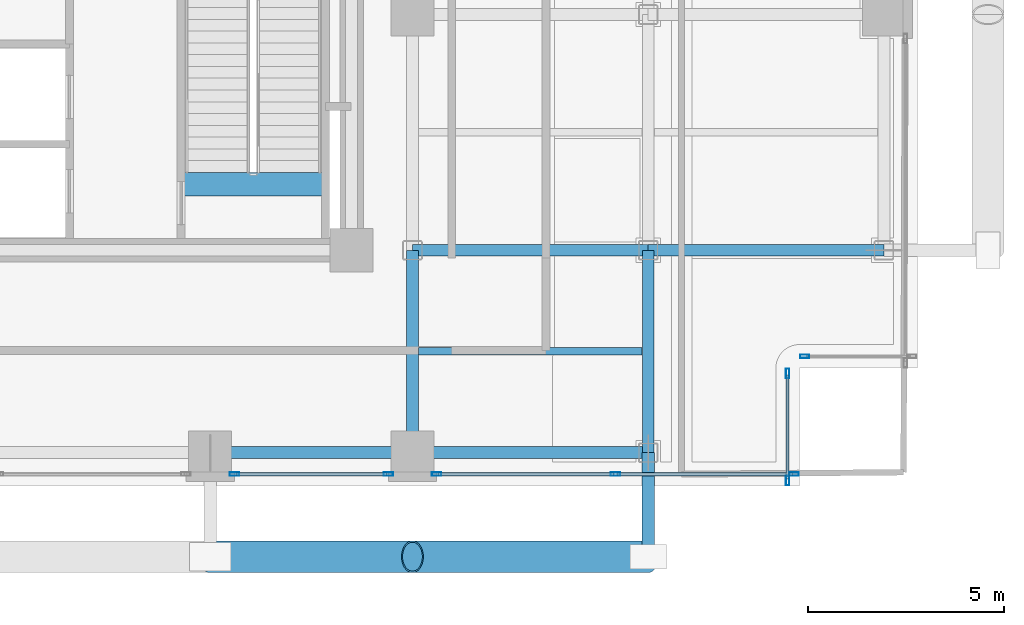
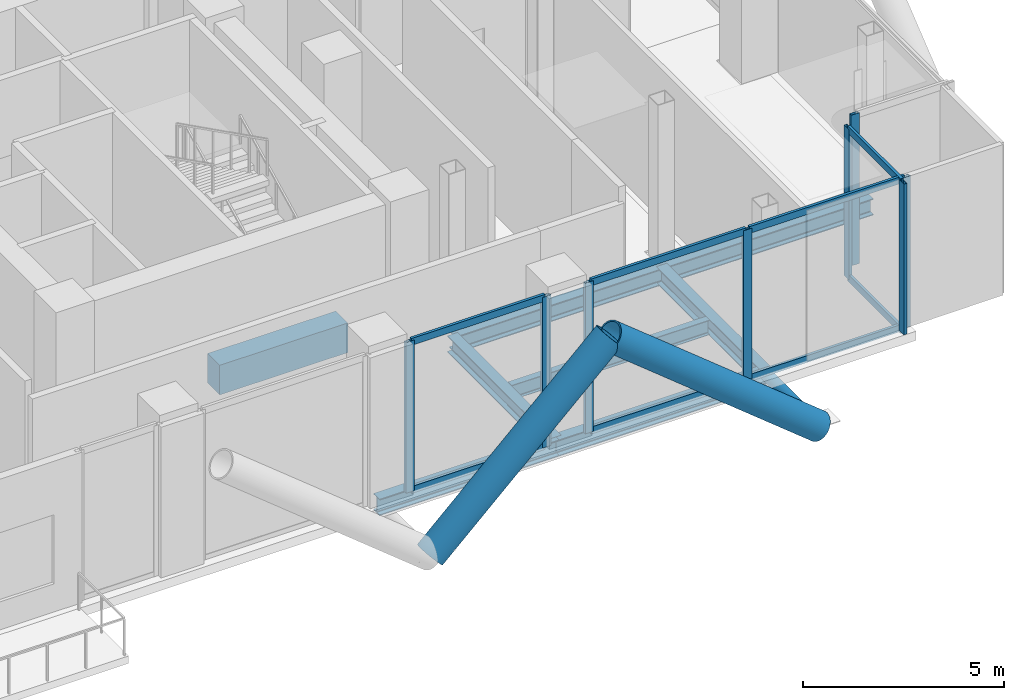
# One storey, part 8 of 25: 19 members, 8 beams, 4 elements without a shape of their own.
"""IFC4 building model written with IfcOpenShell, lengths in metres."""

from ifc_helpers import new_model, si_unit, direction, frame, origin, origin_2d, place, context, subcontext, project, spatial, rectangle, hollow_rectangle, hollow_circle, i_section, extrude, material, layer, layer_set, material_profile, profile_set, type_object, element, aggregate, save


model = new_model("IFC4")

# Units and contexts
model_context = context("Model", 3, precision=1e-05, world=origin(), true_north=direction((0.0, 1.0)))
body_context = subcontext(model_context, "Body", "Model", "MODEL_VIEW")
ifc_project = project(units=[si_unit("LENGTHUNIT", "METRE"), si_unit("AREAUNIT", "SQUARE_METRE"), si_unit("VOLUMEUNIT", "CUBIC_METRE"), si_unit("PLANEANGLEUNIT", "RADIAN"), si_unit("MASSUNIT", "GRAM", prefix="KILO"), si_unit("THERMODYNAMICTEMPERATUREUNIT", "KELVIN"), si_unit("POWERUNIT", "WATT")], contexts=[model_context])

# Site, building, storey
site_placement = place(None, origin())
site = spatial("IfcSite", under=ifc_project, at=site_placement, CompositionType="ELEMENT")
building_placement = place(site_placement, origin())
building = spatial("IfcBuilding", under=site, at=building_placement, Name="Svarakhadi Broadcast Tower", CompositionType="ELEMENT")
storey_placement = place(building_placement, frame((0.0, 0.0, 110.85009765625)))
storey = spatial("IfcBuildingStorey", under=building, at=storey_placement, Name="L26", CompositionType="ELEMENT", Elevation=110.85009765625)

# Beam
ifc_material_1 = material(Name="Steel S355J2 (IS 2062 E350C)", Category="steel")
ifc_material_profile_1 = material_profile(ifc_material_1, i_section(OverallWidth=0.18994140625, OverallDepth=0.449951171875, WebThickness=0.009521484375, FlangeThickness=0.0146484375, FilletRadius=0.02099609375, at=origin_2d()), Name="NPB 450x190x78")
ifc_profile_set_1 = profile_set([ifc_material_profile_1], Name="Steel S355J2 (IS 2062 E350C)")
beam_type_1 = type_object("IfcBeamType", Name="Beam_NPB450", PredefinedType="BEAM", material=ifc_profile_set_1)
beam_1_placement = place(storey_placement, frame((35.31005859375, 3.425048828125, -0.5), z_axis=(1.0, 0.0, 0.0), x_axis=(0.0, 1.0, 0.0)))
element("IfcBeam", 1, at=beam_1_placement, inside=storey, type_object=beam_type_1, Name="L26 Secondary Composite Beam SB019", PredefinedType="BEAM", context=body_context, shape_type="SweptSolid", body=[
    extrude(i_section(OverallWidth=0.18994140625, OverallDepth=0.449951171875, WebThickness=0.009521484375, FlangeThickness=0.0146484375, FilletRadius=0.02099609375, at=origin_2d()), origin(), (0.0, 0.0, 1.0), 5.679931640625),
])

# Curtain wall, member
ifc_material_2 = material(Name="Anodised Bronze Aluminium AA 6063-T6", Category="aluminium")
ifc_layer = layer(ifc_material_2, 0.239990234375)
ifc_layer_set = layer_set([ifc_layer], Name="Anodised Bronze Aluminium AA 6063-T6")
curtain_wall_type = type_object("IfcCurtainWallType", Name="CW_Sys_06", PredefinedType="NOTDEFINED", material=ifc_layer_set)
curtain_wall_1_placement = place(storey_placement, origin())
curtain_wall_1 = element("IfcCurtainWall", 2, at=curtain_wall_1_placement, inside=storey, type_object=curtain_wall_type, Name="L26 Unitised Facade Curtain Wall 14", PredefinedType="NOTDEFINED")
ifc_material_profile_2 = material_profile(ifc_material_2, hollow_rectangle(XDim=0.090087890625, YDim=0.239990234375, WallThickness=0.006103515625, at=origin_2d()), Name="ALU MULLION 240x90x6")
ifc_profile_set_2 = profile_set([ifc_material_profile_2], Name="Anodised Bronze Aluminium AA 6063-T6")
member_type_1 = type_object("IfcMemberType", Name="CW_Sys_06_Mul", PredefinedType="MULLION", material=ifc_profile_set_2)
member_1_placement = place(storey_placement, frame((45.135009765625, 3.300048828125, 0.0), z_axis=(0.0, 0.0, 1.0), x_axis=(0.0, -1.0, 0.0)))
member_1 = element("IfcMember", 3, at=member_1_placement, type_object=member_type_1, Name="CW-06 mullion 2", PredefinedType="MULLION", context=body_context, shape_type="SweptSolid", body=[
    extrude(hollow_rectangle(XDim=0.090087890625, YDim=0.239990234375, WallThickness=0.006103515625, at=origin_2d()), origin(), (0.0, 0.0, 1.0), 4.574951171875),
])
aggregate(curtain_wall_1, [member_1])

# Curtain wall, members
curtain_wall_2_placement = place(storey_placement, origin())
curtain_wall_2 = element("IfcCurtainWall", 4, at=curtain_wall_2_placement, inside=storey, type_object=curtain_wall_type, Name="L26 Unitised Facade Curtain Wall 15", PredefinedType="NOTDEFINED")
member_2_placement = place(storey_placement, frame((44.699951171875, 2.864990234375, 0.0), z_axis=(0.0, 0.0, 1.0), x_axis=(1.0, 0.0, 0.0)))
member_2 = element("IfcMember", 5, at=member_2_placement, type_object=member_type_1, Name="CW-06 mullion 1", PredefinedType="MULLION", context=body_context, shape_type="SweptSolid", body=[
    extrude(hollow_rectangle(XDim=0.090087890625, YDim=0.239990234375, WallThickness=0.006103515625, at=origin_2d()), origin(), (0.0, 0.0, 1.0), 4.574951171875),
])
member_3_placement = place(storey_placement, frame((44.699951171875, 0.135009765625, 0.0), z_axis=(0.0, 0.0, 1.0), x_axis=(1.0, 0.0, 0.0)))
member_3 = element("IfcMember", 6, at=member_3_placement, type_object=member_type_1, Name="CW-06 mullion 2", PredefinedType="MULLION", context=body_context, shape_type="SweptSolid", body=[
    extrude(hollow_rectangle(XDim=0.090087890625, YDim=0.239990234375, WallThickness=0.006103515625, at=origin_2d()), origin(), (0.0, 0.0, 1.0), 4.574951171875),
])

curtain_wall_3_placement = place(storey_placement, origin())
curtain_wall_3 = element("IfcCurtainWall", 7, at=curtain_wall_3_placement, inside=storey, type_object=curtain_wall_type, Name="L26 South Curtain Wall 16 Bay 1", PredefinedType="NOTDEFINED")
member_4_placement = place(storey_placement, frame((44.864990234375, 0.300048828125, 0.0), z_axis=(0.0, 0.0, 1.0), x_axis=(0.0, -1.0, 0.0)))
member_4 = element("IfcMember", 8, at=member_4_placement, type_object=member_type_1, Name="CW-06 mullion 1", PredefinedType="MULLION", context=body_context, shape_type="SweptSolid", body=[
    extrude(hollow_rectangle(XDim=0.090087890625, YDim=0.239990234375, WallThickness=0.006103515625, at=origin_2d()), origin(), (0.0, 0.0, 1.0), 4.574951171875),
])
member_5_placement = place(storey_placement, frame((40.31494140625, 0.300048828125, 0.0), z_axis=(0.0, 0.0, 1.0), x_axis=(0.0, -1.0, 0.0)))
member_5 = element("IfcMember", 9, at=member_5_placement, type_object=member_type_1, Name="CW-06 mullion 2", PredefinedType="MULLION", context=body_context, shape_type="SweptSolid", body=[
    extrude(hollow_rectangle(XDim=0.090087890625, YDim=0.239990234375, WallThickness=0.006103515625, at=origin_2d()), origin(), (0.0, 0.0, 1.0), 4.574951171875),
])
member_6_placement = place(storey_placement, frame((35.764892578125, 0.300048828125, 0.0), z_axis=(0.0, 0.0, 1.0), x_axis=(0.0, -1.0, 0.0)))
member_6 = element("IfcMember", 10, at=member_6_placement, type_object=member_type_1, Name="CW-06 mullion 3", PredefinedType="MULLION", context=body_context, shape_type="SweptSolid", body=[
    extrude(hollow_rectangle(XDim=0.090087890625, YDim=0.239990234375, WallThickness=0.006103515625, at=origin_2d()), origin(), (0.0, 0.0, 1.0), 4.574951171875),
])

curtain_wall_4_placement = place(storey_placement, origin())
curtain_wall_4 = element("IfcCurtainWall", 11, at=curtain_wall_4_placement, inside=storey, type_object=curtain_wall_type, Name="L26 South Curtain Wall 16 Bay 2", PredefinedType="NOTDEFINED")
member_7_placement = place(storey_placement, frame((34.534912109375, 0.300048828125, 0.0), z_axis=(0.0, 0.0, 1.0), x_axis=(0.0, -1.0, 0.0)))
member_7 = element("IfcMember", 12, at=member_7_placement, type_object=member_type_1, Name="CW-06 mullion 1", PredefinedType="MULLION", context=body_context, shape_type="SweptSolid", body=[
    extrude(hollow_rectangle(XDim=0.090087890625, YDim=0.239990234375, WallThickness=0.006103515625, at=origin_2d()), origin(), (0.0, 0.0, 1.0), 4.574951171875),
])
member_8_placement = place(storey_placement, frame((30.614990234375, 0.300048828125, 0.0), z_axis=(0.0, 0.0, 1.0), x_axis=(0.0, -1.0, 0.0)))
member_8 = element("IfcMember", 13, at=member_8_placement, type_object=member_type_1, Name="CW-06 mullion 2", PredefinedType="MULLION", context=body_context, shape_type="SweptSolid", body=[
    extrude(hollow_rectangle(XDim=0.090087890625, YDim=0.239990234375, WallThickness=0.006103515625, at=origin_2d()), origin(), (0.0, 0.0, 1.0), 4.574951171875),
])

# Member
ifc_material_profile_3 = material_profile(ifc_material_2, hollow_rectangle(XDim=0.080078125, YDim=0.2099609375, WallThickness=0.0048828125, at=origin_2d()), Name="ALU TRANSOM 210x80x5")
ifc_profile_set_3 = profile_set([ifc_material_profile_3], Name="Anodised Bronze Aluminium AA 6063-T6")
member_type_2 = type_object("IfcMemberType", Name="CW_Sys_06_Trn", PredefinedType="USERDEFINED", material=ifc_profile_set_3)
member_9_placement = place(storey_placement, frame((44.699951171875, 2.820068359375, 0.039794921875), z_axis=(0.0, -1.0, 0.0), x_axis=(1.0, 0.0, 0.0)))
member_9 = element("IfcMember", 14, at=member_9_placement, type_object=member_type_2, Name="CW-06 transom 1.1", ObjectType="TRANSOM", PredefinedType="USERDEFINED", context=body_context, shape_type="SweptSolid", body=[
    extrude(hollow_rectangle(XDim=0.080078125, YDim=0.2099609375, WallThickness=0.0048828125, at=origin_2d()), origin(), (0.0, 0.0, 1.0), 2.64013671875),
])

member_10_placement = place(storey_placement, frame((44.699951171875, 2.820068359375, 4.534912109375), z_axis=(0.0, -1.0, 0.0), x_axis=(1.0, 0.0, 0.0)))
member_10 = element("IfcMember", 15, at=member_10_placement, type_object=member_type_2, Name="CW-06 transom 1.2", ObjectType="TRANSOM", PredefinedType="USERDEFINED", context=body_context, shape_type="SweptSolid", body=[
    extrude(hollow_rectangle(XDim=0.080078125, YDim=0.2099609375, WallThickness=0.0048828125, at=origin_2d()), origin(), (0.0, 0.0, 1.0), 2.64013671875),
])

aggregate(curtain_wall_2, [member_2, member_3, member_9, member_10])

member_11_placement = place(storey_placement, frame((44.820068359375, 0.300048828125, 0.039794921875), z_axis=(-1.0, 0.0, 0.0), x_axis=(0.0, -1.0, 0.0)))
member_11 = element("IfcMember", 16, at=member_11_placement, type_object=member_type_2, Name="CW-06 transom 1.1", ObjectType="TRANSOM", PredefinedType="USERDEFINED", context=body_context, shape_type="SweptSolid", body=[
    extrude(hollow_rectangle(XDim=0.080078125, YDim=0.2099609375, WallThickness=0.0048828125, at=origin_2d()), origin(), (0.0, 0.0, 1.0), 4.4599609375),
])

member_12_placement = place(storey_placement, frame((44.820068359375, 0.300048828125, 4.534912109375), z_axis=(-1.0, 0.0, 0.0), x_axis=(0.0, -1.0, 0.0)))
member_12 = element("IfcMember", 17, at=member_12_placement, type_object=member_type_2, Name="CW-06 transom 1.2", ObjectType="TRANSOM", PredefinedType="USERDEFINED", context=body_context, shape_type="SweptSolid", body=[
    extrude(hollow_rectangle(XDim=0.080078125, YDim=0.2099609375, WallThickness=0.0048828125, at=origin_2d()), origin(), (0.0, 0.0, 1.0), 4.4599609375),
])

member_13_placement = place(storey_placement, frame((40.27001953125, 0.300048828125, 0.039794921875), z_axis=(-1.0, 0.0, 0.0), x_axis=(0.0, -1.0, 0.0)))
member_13 = element("IfcMember", 18, at=member_13_placement, type_object=member_type_2, Name="CW-06 transom 2.1", ObjectType="TRANSOM", PredefinedType="USERDEFINED", context=body_context, shape_type="SweptSolid", body=[
    extrude(hollow_rectangle(XDim=0.080078125, YDim=0.2099609375, WallThickness=0.0048828125, at=origin_2d()), origin(), (0.0, 0.0, 1.0), 4.4599609375),
])

member_14_placement = place(storey_placement, frame((40.27001953125, 0.300048828125, 4.534912109375), z_axis=(-1.0, 0.0, 0.0), x_axis=(0.0, -1.0, 0.0)))
member_14 = element("IfcMember", 19, at=member_14_placement, type_object=member_type_2, Name="CW-06 transom 2.2", ObjectType="TRANSOM", PredefinedType="USERDEFINED", context=body_context, shape_type="SweptSolid", body=[
    extrude(hollow_rectangle(XDim=0.080078125, YDim=0.2099609375, WallThickness=0.0048828125, at=origin_2d()), origin(), (0.0, 0.0, 1.0), 4.4599609375),
])

aggregate(curtain_wall_3, [member_4, member_5, member_6, member_11, member_12, member_13, member_14])

member_15_placement = place(storey_placement, frame((34.489990234375, 0.300048828125, 0.039794921875), z_axis=(-1.0, 0.0, 0.0), x_axis=(0.0, -1.0, 0.0)))
member_15 = element("IfcMember", 20, at=member_15_placement, type_object=member_type_2, Name="CW-06 transom 1.1", ObjectType="TRANSOM", PredefinedType="USERDEFINED", context=body_context, shape_type="SweptSolid", body=[
    extrude(hollow_rectangle(XDim=0.080078125, YDim=0.2099609375, WallThickness=0.0048828125, at=origin_2d()), origin(), (0.0, 0.0, 1.0), 3.830078125),
])

member_16_placement = place(storey_placement, frame((34.489990234375, 0.300048828125, 4.534912109375), z_axis=(-1.0, 0.0, 0.0), x_axis=(0.0, -1.0, 0.0)))
member_16 = element("IfcMember", 21, at=member_16_placement, type_object=member_type_2, Name="CW-06 transom 1.2", ObjectType="TRANSOM", PredefinedType="USERDEFINED", context=body_context, shape_type="SweptSolid", body=[
    extrude(hollow_rectangle(XDim=0.080078125, YDim=0.2099609375, WallThickness=0.0048828125, at=origin_2d()), origin(), (0.0, 0.0, 1.0), 3.830078125),
])

aggregate(curtain_wall_4, [member_7, member_8, member_15, member_16])

# Beam
ifc_material_3 = material(Name="Concrete C50/60 (IS 456 M60)", Category="concrete")
ifc_material_profile_4 = material_profile(ifc_material_3, rectangle(XDim=0.60009765625, YDim=0.89990234375, at=origin_2d()), Name="RC 600x900")
ifc_profile_set_4 = profile_set([ifc_material_profile_4], Name="Concrete C50/60 (IS 456 M60)")
beam_type_2 = type_object("IfcBeamType", Name="Coupling_RC600", PredefinedType="USERDEFINED", material=ifc_profile_set_4)
beam_2_placement = place(storey_placement, frame((29.260009765625, 7.679931640625, -0.4501953125), z_axis=(1.0, 0.0, 0.0), x_axis=(0.0, 1.0, 0.0)))
element("IfcBeam", 22, at=beam_2_placement, inside=storey, type_object=beam_type_2, Name="L26 Stair ST-02 Landing Throat Trimmer Beam CB-01", ObjectType="GIRDER", PredefinedType="USERDEFINED", context=body_context, shape_type="SweptSolid", body=[
    extrude(rectangle(XDim=0.60009765625, YDim=0.89990234375, at=origin_2d()), origin(), (0.0, 0.0, 1.0), 3.679931640625),
])

# Members
ifc_material_4 = material(Name="Steel S460ML (IS 2062 E450BR)", Category="steel")
ifc_material_profile_5 = material_profile(ifc_material_4, hollow_circle(Radius=0.406494140625, WallThickness=0.0400390625, at=origin_2d()), Name="CHS 813x40")
ifc_profile_set_5 = profile_set([ifc_material_profile_5], Name="Steel S460ML (IS 2062 E450BR)")
member_type_3 = type_object("IfcMemberType", Name="Exo_Brace_CHS813", PredefinedType="BRACE", material=ifc_profile_set_5)
member_17_placement = place(storey_placement, frame((30.0, -1.800048828125, -0.43701171875), z_axis=(0.727996308032, 0.0, 0.685581049543), x_axis=(0.0, 1.0, 0.0)))
element("IfcMember", 23, at=member_17_placement, inside=storey, type_object=member_type_3, Name="L26 Exposed Bronze Exoskeleton Diagonal S02", PredefinedType="BRACE", context=body_context, shape_type="SweptSolid", body=[
    extrude(hollow_circle(Radius=0.406494140625, WallThickness=0.0400390625, at=origin_2d()), origin(), (0.0, 0.0, 1.0), 7.073974609375),
])
member_18_placement = place(storey_placement, frame((41.14990234375, -1.800048828125, -0.43701171875), z_axis=(-0.777706721002, 0.0, 0.628627279163), x_axis=(0.0, -1.0, 0.0)))
element("IfcMember", 24, at=member_18_placement, inside=storey, type_object=member_type_3, Name="L26 Exposed Bronze Exoskeleton Diagonal S03", PredefinedType="BRACE", context=body_context, shape_type="SweptSolid", body=[
    extrude(hollow_circle(Radius=0.406494140625, WallThickness=0.0400390625, at=origin_2d()), origin(), (0.0, 0.0, 1.0), 7.715087890625),
])
ifc_material_profile_6 = material_profile(ifc_material_4, hollow_circle(Radius=0.161865234375, WallThickness=0.01611328125, at=origin_2d()), Name="CHS 323.9x16")
ifc_profile_set_6 = profile_set([ifc_material_profile_6], Name="Steel S460ML (IS 2062 E450BR)")
member_type_4 = type_object("IfcMemberType", Name="Exo_Radial_Strut_Z2", PredefinedType="STRUT", material=ifc_profile_set_6)
member_19_placement = place(storey_placement, frame((41.14990234375, -1.800048828125, -0.43701171875), z_axis=(0.0, 1.0, 0.0), x_axis=(-1.0, 0.0, 0.0)))
element("IfcMember", 25, at=member_19_placement, inside=storey, type_object=member_type_4, Name="L26 Exoskeleton Radial Tie Strut S04", PredefinedType="STRUT", context=body_context, shape_type="SweptSolid", body=[
    extrude(hollow_circle(Radius=0.161865234375, WallThickness=0.01611328125, at=origin_2d()), origin(), (0.0, 0.0, 1.0), 2.650146484375),
])

# Beams
ifc_material_profile_7 = material_profile(ifc_material_1, i_section(OverallWidth=0.300048828125, OverallDepth=0.5, WebThickness=0.014404296875, FlangeThickness=0.028076171875, FilletRadius=0.027099609375, at=origin_2d()), Name="WPB 500x300x187")
ifc_profile_set_7 = profile_set([ifc_material_profile_7], Name="Steel S355J2 (IS 2062 E350C)")
beam_type_3 = type_object("IfcBeamType", Name="Girder_WPB500", PredefinedType="USERDEFINED", material=ifc_profile_set_7)
beam_3_placement = place(storey_placement, frame((30.0, 0.85009765625, -0.525146484375), z_axis=(1.0, 0.0, 0.0), x_axis=(0.0, 1.0, 0.0)))
element("IfcBeam", 26, at=beam_3_placement, inside=storey, type_object=beam_type_3, Name="L26 Primary E-W Girder G008", ObjectType="GIRDER", PredefinedType="USERDEFINED", context=body_context, shape_type="SweptSolid", body=[
    extrude(i_section(OverallWidth=0.300048828125, OverallDepth=0.5, WebThickness=0.014404296875, FlangeThickness=0.028076171875, FilletRadius=0.027099609375, at=origin_2d()), origin(), (0.0, 0.0, 1.0), 5.14990234375),
])
for number, where, z_axis, x_axis, name in (
    (27, (35.14990234375, 0.85009765625, -0.525146484375), (1.0, 0.0, 0.0), (0.0, 1.0, 0.0), "L26 Primary E-W Girder G009"),
    (28, (35.14990234375, 6.0, -0.525146484375), (1.0, 0.0, 0.0), (0.0, 1.0, 0.0), "L26 Primary E-W Girder G015"),
    (29, (41.14990234375, 6.0, -0.525146484375), (1.0, 0.0, 0.0), (0.0, 1.0, 0.0), "L26 Primary E-W Girder G016"),
):
    element("IfcBeam", number, at=place(storey_placement, frame(where, z_axis=z_axis, x_axis=x_axis)), inside=storey, type_object=beam_type_3, Name=name, ObjectType="GIRDER", PredefinedType="USERDEFINED", context=body_context, shape_type="SweptSolid", body=[
        extrude(i_section(OverallWidth=0.300048828125, OverallDepth=0.5, WebThickness=0.014404296875, FlangeThickness=0.028076171875, FilletRadius=0.027099609375, at=origin_2d()), origin(), (0.0, 0.0, 1.0), 6.0),
    ])
for number, where, z_axis, x_axis, name in (
    (30, (35.14990234375, 0.85009765625, -0.525146484375), (0.0, 1.0, 0.0), (-1.0, 0.0, 0.0), "L26 Primary N-S Girder G067"),
    (31, (41.14990234375, 0.85009765625, -0.525146484375), (0.0, 1.0, 0.0), (-1.0, 0.0, 0.0), "L26 Primary N-S Girder G070"),
):
    element("IfcBeam", number, at=place(storey_placement, frame(where, z_axis=z_axis, x_axis=x_axis)), inside=storey, type_object=beam_type_3, Name=name, ObjectType="GIRDER", PredefinedType="USERDEFINED", context=body_context, shape_type="SweptSolid", body=[
        extrude(i_section(OverallWidth=0.300048828125, OverallDepth=0.5, WebThickness=0.014404296875, FlangeThickness=0.028076171875, FilletRadius=0.027099609375, at=origin_2d()), origin(), (0.0, 0.0, 1.0), 5.14990234375),
    ])

save(model, "model.ifc")
